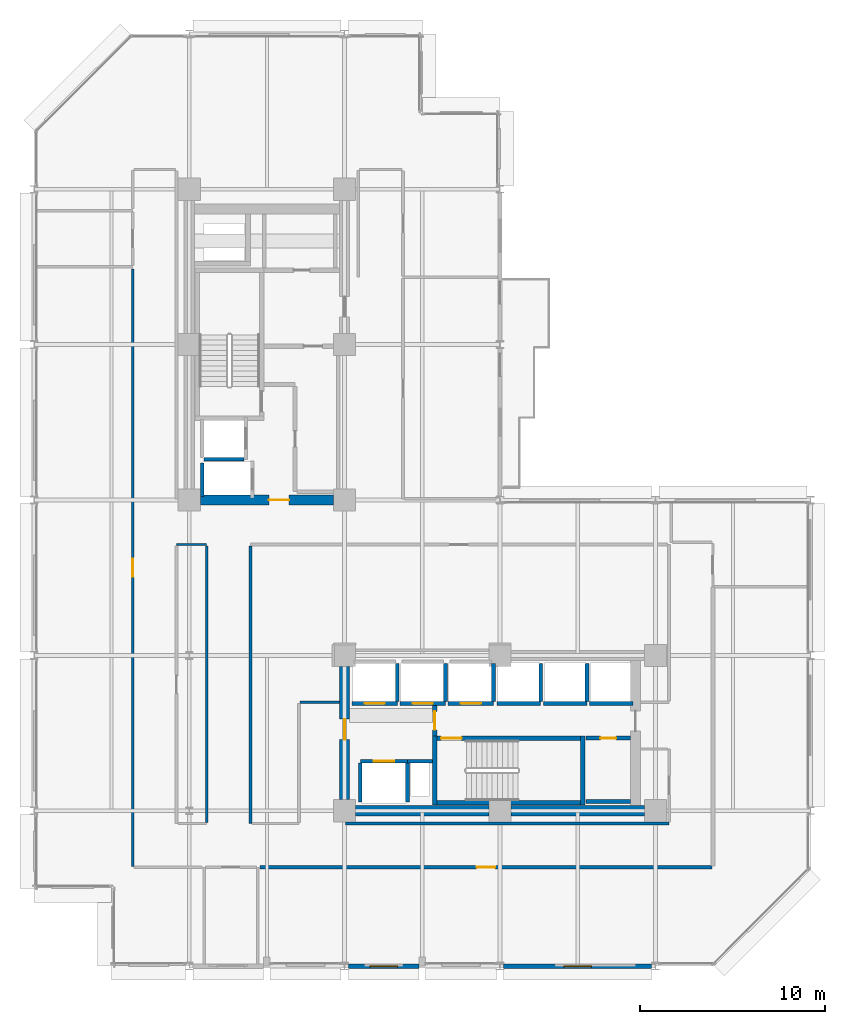
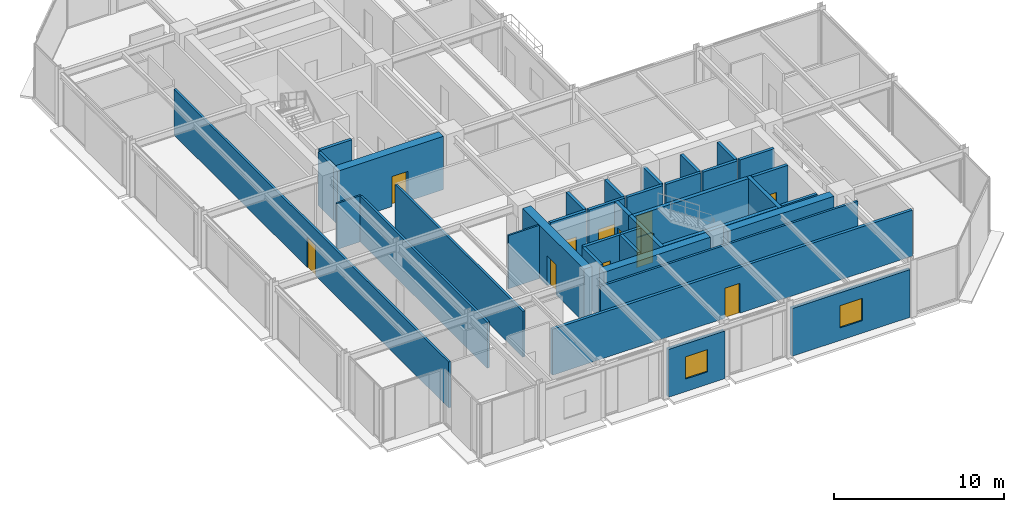
# One storey, part 24 of 30: 37 walls, 11 doors, 2 windows, 13 openings.
"""IFC4 building model written with IfcOpenShell, lengths in metres."""

from ifc_helpers import new_model, si_unit, direction, frame, frame_2d, origin, place, context, subcontext, project, spatial, rectangle, extrude, material, layer, layer_set, type_object, element, fill, save


model = new_model("IFC4")

# Units and contexts
model_context = context("Model", 3, precision=1e-05, world=origin(), true_north=direction((0.0, 1.0)))
body_context = subcontext(model_context, "Body", "Model", "MODEL_VIEW")
ifc_project = project(units=[si_unit("LENGTHUNIT", "METRE"), si_unit("AREAUNIT", "SQUARE_METRE"), si_unit("VOLUMEUNIT", "CUBIC_METRE"), si_unit("PLANEANGLEUNIT", "RADIAN"), si_unit("MASSUNIT", "GRAM", prefix="KILO")], contexts=[model_context])

# Site, building, storey
site_placement = place(None, origin())
site = spatial("IfcSite", under=ifc_project, at=site_placement, CompositionType="ELEMENT")
building_placement = place(site_placement, origin())
building = spatial("IfcBuilding", under=site, at=building_placement, Name="Nerrivon Quay Data Exchange", CompositionType="ELEMENT")
storey_placement = place(building_placement, frame((0.0, 0.0, 154.10009765625)))
storey = spatial("IfcBuildingStorey", under=building, at=storey_placement, Name="L36", CompositionType="ELEMENT", Elevation=154.10009765625)

# Wall, opening, window
ifc_material_1 = material(Name="Architectural terracotta precast concrete N50 (50 MPa)", Category="masonry")
ifc_layer_1 = layer(ifc_material_1, 0.239990234375)
ifc_layer_set_1 = layer_set([ifc_layer_1], Name="Architectural terracotta precast concrete N50 (50 MPa)")
wall_type_1 = type_object("IfcWallType", Name="EW-PREC-240", PredefinedType="STANDARD", material=ifc_layer_set_1)
wall_1_placement = place(storey_placement, frame((33.39990234375, 0.0, 0.0), z_axis=(0.0, 0.0, 1.0), x_axis=(-1.0, 0.0, 0.0)))
wall_1 = element("IfcWall", 1, at=wall_1_placement, inside=storey, type_object=wall_type_1, Name="L36 Podium Precast Spandrel Wall 3", PredefinedType="STANDARD", context=body_context, shape_type="SweptSolid", body=[
    extrude(rectangle(XDim=8.0, YDim=0.239990234375, at=frame_2d((4.0, 0.0))), origin(), (0.0, 0.0, 1.0), 3.421875),
])
opening_1_placement = place(wall_1_placement, frame((3.25, 0.0, 0.89990234375)))
opening_1 = element("IfcOpeningElement", 2, at=opening_1_placement, cuts=wall_1, Name="Opening WN4", PredefinedType="OPENING", context=body_context, shape_type="SweptSolid", body=[
    extrude(rectangle(XDim=1.5, YDim=1.60009765625, at=frame_2d((0.75, 0.800048828125))), frame((0.0, 0.1298828125, 0.0), z_axis=(0.0, -1.0, 0.0), x_axis=(1.0, 0.0, 0.0)), (0.0, 0.0, 1.0), 0.260009765625),
])
ifc_material_2 = material(Name="Double-glazed low-E solar control glass", Category="glass")
window_type = type_object("IfcWindowType", Name="WIN-W4-1500x1600", PartitioningType="SINGLE_PANEL", PredefinedType="WINDOW", material=ifc_material_2)
window_1_placement = place(opening_1_placement, origin())
window_1 = element("IfcWindow", 3, at=window_1_placement, inside=storey, type_object=window_type, Name="L36 Solar Facade Window 3", OverallHeight=1.60009765625, OverallWidth=1.5, PartitioningType="SINGLE_PANEL", PredefinedType="WINDOW", context=body_context, shape_type="SweptSolid", body=[
    extrude(rectangle(XDim=1.5, YDim=1.60009765625, at=frame_2d((0.75, 0.800048828125))), frame((0.0, 0.030029296875, 0.0), z_axis=(0.0, -1.0, 0.0), x_axis=(1.0, 0.0, 0.0)), (0.0, 0.0, 1.0), 0.06005859375),
])
fill(opening_1, window_1)

wall_2_placement = place(storey_placement, frame((20.824951171875, 0.0, 0.0), z_axis=(0.0, 0.0, 1.0), x_axis=(-1.0, 0.0, 0.0)))
wall_2 = element("IfcWall", 4, at=wall_2_placement, inside=storey, type_object=wall_type_1, Name="L36 Podium Precast Spandrel Wall 5", PredefinedType="STANDARD", context=body_context, shape_type="SweptSolid", body=[
    extrude(rectangle(XDim=3.824951171875, YDim=0.239990234375, at=frame_2d((1.91259765625, 0.0))), origin(), (0.0, 0.0, 1.0), 3.421875),
])
opening_2_placement = place(wall_2_placement, frame((1.16259765625, 0.0, 0.89990234375)))
opening_2 = element("IfcOpeningElement", 5, at=opening_2_placement, cuts=wall_2, Name="Opening WN4", PredefinedType="OPENING", context=body_context, shape_type="SweptSolid", body=[
    extrude(rectangle(XDim=1.5, YDim=1.60009765625, at=frame_2d((0.75, 0.800048828125))), frame((0.0, 0.1298828125, 0.0), z_axis=(0.0, -1.0, 0.0), x_axis=(1.0, 0.0, 0.0)), (0.0, 0.0, 1.0), 0.260009765625),
])
window_2_placement = place(opening_2_placement, origin())
window_2 = element("IfcWindow", 6, at=window_2_placement, inside=storey, type_object=window_type, Name="L36 Solar Facade Window 5", OverallHeight=1.60009765625, OverallWidth=1.5, PartitioningType="SINGLE_PANEL", PredefinedType="WINDOW", context=body_context, shape_type="SweptSolid", body=[
    extrude(rectangle(XDim=1.5, YDim=1.60009765625, at=frame_2d((0.75, 0.800048828125))), frame((0.0, 0.030029296875, 0.0), z_axis=(0.0, -1.0, 0.0), x_axis=(1.0, 0.0, 0.0)), (0.0, 0.0, 1.0), 0.06005859375),
])
fill(opening_2, window_2)

# Wall, opening, door
ifc_material_3 = material(Name="Concrete S65 (65 MPa)", Category="concrete")
ifc_layer_2 = layer(ifc_material_3, 0.550048828125)
ifc_layer_set_2 = layer_set([ifc_layer_2], Name="Concrete S65 (65 MPa)")
wall_type_2 = type_object("IfcWallType", Name="WALL-CW-700", PredefinedType="SHEAR", material=ifc_layer_set_2)
wall_3_placement = place(storey_placement, frame((9.0, 25.199951171875, 0.0), z_axis=(0.0, 0.0, 1.0), x_axis=(1.0, 0.0, 0.0)))
wall_3 = element("IfcWall", 7, at=wall_3_placement, inside=storey, type_object=wall_type_2, Name="L36 West Split-Core Shear Wall WCW-S1", PredefinedType="SHEAR", context=body_context, shape_type="SweptSolid", body=[
    extrude(rectangle(XDim=7.199951171875, YDim=0.550048828125, at=frame_2d((3.60009765625, 0.0))), origin(), (0.0, 0.0, 1.0), 3.824951171875),
])
opening_3_placement = place(wall_3_placement, frame((3.699951171875, 0.0, 0.0)))
opening_3 = element("IfcOpeningElement", 8, at=opening_3_placement, cuts=wall_3, Name="Opening FD-120", PredefinedType="OPENING", context=body_context, shape_type="SweptSolid", body=[
    extrude(rectangle(XDim=1.10009765625, YDim=2.14990234375, at=frame_2d((0.550048828125, 1.074951171875))), frame((0.0, 0.284912109375, 0.0), z_axis=(0.0, -1.0, 0.0), x_axis=(1.0, 0.0, 0.0)), (0.0, 0.0, 1.0), 0.570068359375),
])
ifc_material_4 = material(Name="Powder-coated galvanized steel sheet", Category="steel")
door_type_1 = type_object("IfcDoorType", Name="DR-FD120-1100", OperationType="NOTDEFINED", PredefinedType="DOOR", material=ifc_material_4)
door_1_placement = place(opening_3_placement, origin())
door_1 = element("IfcDoor", 9, at=door_1_placement, inside=storey, type_object=door_type_1, Name="L36 West Core Lobby Fire Door", OperationType="SINGLE_SWING_LEFT", OverallHeight=2.14990234375, OverallWidth=1.10009765625, PredefinedType="DOOR", context=body_context, shape_type="SweptSolid", body=[
    extrude(rectangle(XDim=1.10009765625, YDim=2.14990234375, at=frame_2d((0.550048828125, 1.074951171875))), frame((0.0, 0.02490234375, 0.0), z_axis=(0.0, -1.0, 0.0), x_axis=(1.0, 0.0, 0.0)), (0.0, 0.0, 1.0), 0.050048828125),
])
fill(opening_3, door_1)

# Walls
wall_4_placement = place(storey_placement, frame((17.39990234375, 8.39990234375, 0.0), z_axis=(0.0, 0.0, 1.0), x_axis=(1.0, 0.0, 0.0)))
element("IfcWall", 10, at=wall_4_placement, inside=storey, type_object=wall_type_2, Name="L36 East Split-Core Shear Wall ECW-S1", PredefinedType="SHEAR", context=body_context, shape_type="SweptSolid", body=[
    extrude(rectangle(XDim=7.2001953125, YDim=0.550048828125, at=frame_2d((3.60009765625, 0.0))), origin(), (0.0, 0.0, 1.0), 3.824951171875),
])
wall_5_placement = place(storey_placement, frame((25.800048828125, 8.39990234375, 0.0), z_axis=(0.0, 0.0, 1.0), x_axis=(1.0, 0.0, 0.0)))
element("IfcWall", 11, at=wall_5_placement, inside=storey, type_object=wall_type_2, Name="L36 East Split-Core Shear Wall ECW-S2", PredefinedType="SHEAR", context=body_context, shape_type="SweptSolid", body=[
    extrude(rectangle(XDim=7.199951171875, YDim=0.550048828125, at=frame_2d((3.60009765625, 0.0))), origin(), (0.0, 0.0, 1.0), 3.824951171875),
])

# Wall, opening, door
wall_6_placement = place(storey_placement, frame((16.800048828125, 9.0, 0.0), z_axis=(0.0, 0.0, 1.0), x_axis=(0.0, 1.0, 0.0)))
wall_6 = element("IfcWall", 12, at=wall_6_placement, inside=storey, type_object=wall_type_2, Name="L36 East Split-Core Shear Wall ECW-W1", PredefinedType="SHEAR", context=body_context, shape_type="SweptSolid", body=[
    extrude(rectangle(XDim=7.199951171875, YDim=0.550048828125, at=frame_2d((3.60009765625, 0.0))), origin(), (0.0, 0.0, 1.0), 3.824951171875),
])
opening_4_placement = place(wall_6_placement, frame((3.25, 0.0, 0.0)))
opening_4 = element("IfcOpeningElement", 13, at=opening_4_placement, cuts=wall_6, Name="Opening FD-120", PredefinedType="OPENING", context=body_context, shape_type="SweptSolid", body=[
    extrude(rectangle(XDim=1.10009765625, YDim=2.14990234375, at=frame_2d((0.550048828125, 1.074951171875))), frame((0.0, 0.284912109375, 0.0), z_axis=(0.0, -1.0, 0.0), x_axis=(1.0, 0.0, 0.0)), (0.0, 0.0, 1.0), 0.570068359375),
])
door_2_placement = place(opening_4_placement, origin())
door_2 = element("IfcDoor", 14, at=door_2_placement, inside=storey, type_object=door_type_1, Name="L36 East Core Lobby Fire Door", OperationType="SINGLE_SWING_LEFT", OverallHeight=2.14990234375, OverallWidth=1.10009765625, PredefinedType="DOOR", context=body_context, shape_type="SweptSolid", body=[
    extrude(rectangle(XDim=1.10009765625, YDim=2.14990234375, at=frame_2d((0.550048828125, 1.074951171875))), frame((0.0, 0.02490234375, 0.0), z_axis=(0.0, -1.0, 0.0), x_axis=(1.0, 0.0, 0.0)), (0.0, 0.0, 1.0), 0.050048828125),
])
fill(opening_4, door_2)

# Walls
ifc_material_5 = material(Name="Gypsum plasterboard on cold-formed framing", Category="gypsum")
ifc_layer_3 = layer(ifc_material_5, 0.199951171875)
ifc_layer_set_3 = layer_set([ifc_layer_3], Name="Gypsum plasterboard on cold-formed framing")
wall_type_3 = type_object("IfcWallType", Name="WALL-FW-200", PredefinedType="PARTITIONING", material=ifc_layer_set_3)
wall_7_placement = place(storey_placement, frame((20.199951171875, 11.080078125, 0.0), z_axis=(0.0, 0.0, 1.0), x_axis=(1.0, 0.0, 0.0)))
element("IfcWall", 15, at=wall_7_placement, inside=storey, type_object=wall_type_3, Name="L36 East Core MEP Riser Shaft Wall N", PredefinedType="PARTITIONING", context=body_context, shape_type="SweptSolid", body=[
    extrude(rectangle(XDim=1.35009765625, YDim=0.199951171875, at=frame_2d((0.675048828125, 0.0))), origin(), (0.0, 0.0, 1.0), 3.824951171875),
])
wall_8_placement = place(storey_placement, frame((9.199951171875, 27.39990234375, 0.0), z_axis=(0.0, 0.0, 1.0), x_axis=(1.0, 0.0, 0.0)))
element("IfcWall", 16, at=wall_8_placement, inside=storey, type_object=wall_type_3, Name="L36 Lift Shaft Wall FFL-1 SOUTH", PredefinedType="PARTITIONING", context=body_context, shape_type="SweptSolid", body=[
    extrude(rectangle(XDim=2.150146484375, YDim=0.199951171875, at=frame_2d((1.0751953125, 0.0))), origin(), (0.0, 0.0, 1.0), 3.824951171875),
])
wall_9_placement = place(storey_placement, frame((9.10009765625, 25.39990234375, 0.0), z_axis=(0.0, 0.0, 1.0), x_axis=(0.0, 1.0, 0.0)))
element("IfcWall", 17, at=wall_9_placement, inside=storey, type_object=wall_type_3, Name="L36 Lift Shaft Wall SVL-1 WEST", PredefinedType="PARTITIONING", context=body_context, shape_type="SweptSolid", body=[
    extrude(rectangle(XDim=1.800048828125, YDim=0.199951171875, at=frame_2d((0.89990234375, 0.0))), origin(), (0.0, 0.0, 1.0), 3.824951171875),
])

# Wall, opening, door
wall_10_placement = place(storey_placement, frame((17.64990234375, 11.080078125, 0.0), z_axis=(0.0, 0.0, 1.0), x_axis=(1.0, 0.0, 0.0)))
wall_10 = element("IfcWall", 18, at=wall_10_placement, inside=storey, type_object=wall_type_3, Name="L36 Lift Front Wall FFL-2", PredefinedType="PARTITIONING", context=body_context, shape_type="SweptSolid", body=[
    extrude(rectangle(XDim=2.550048828125, YDim=0.199951171875, at=frame_2d((1.27490234375, 0.0))), origin(), (0.0, 0.0, 1.0), 3.824951171875),
])
opening_5_placement = place(wall_10_placement, frame((0.72509765625, 0.0, 0.0)))
opening_5 = element("IfcOpeningElement", 19, at=opening_5_placement, cuts=wall_10, Name="Opening LD-120", PredefinedType="OPENING", context=body_context, shape_type="SweptSolid", body=[
    extrude(rectangle(XDim=1.10009765625, YDim=2.199951171875, at=frame_2d((0.550048828125, 1.10009765625))), frame((0.0, 0.10986328125, 0.0), z_axis=(0.0, -1.0, 0.0), x_axis=(1.0, 0.0, 0.0)), (0.0, 0.0, 1.0), 0.219970703125),
])
door_type_2 = type_object("IfcDoorType", Name="DR-LIFT-LD120", OperationType="DOUBLE_DOOR_SLIDING", PredefinedType="DOOR", material=ifc_material_4)
door_3_placement = place(opening_5_placement, origin())
door_3 = element("IfcDoor", 20, at=door_3_placement, inside=storey, type_object=door_type_2, Name="L36 Lift Landing Sliding Door FFL-2", OperationType="DOUBLE_DOOR_SLIDING", OverallHeight=2.199951171875, OverallWidth=1.10009765625, PredefinedType="DOOR", context=body_context, shape_type="SweptSolid", body=[
    extrude(rectangle(XDim=1.10009765625, YDim=2.199951171875, at=frame_2d((0.550048828125, 1.10009765625))), frame((0.0, 0.02490234375, 0.0), z_axis=(0.0, -1.0, 0.0), x_axis=(1.0, 0.0, 0.0)), (0.0, 0.0, 1.0), 0.050048828125),
])
fill(opening_5, door_3)

# Walls
for number, where, z_axis, x_axis, name in (
    (21, (20.199951171875, 8.8798828125, 0.0), (0.0, 0.0, 1.0), (0.0, 1.0, 0.0), "L36 Lift Shaft Wall FFL-2 EAST"),
    (22, (17.64990234375, 8.8798828125, 0.0), (0.0, 0.0, 1.0), (0.0, 1.0, 0.0), "L36 Lift Shaft Wall FFL-2 WEST"),
):
    element("IfcWall", number, at=place(storey_placement, frame(where, z_axis=z_axis, x_axis=x_axis)), inside=storey, type_object=wall_type_3, Name=name, PredefinedType="PARTITIONING", context=body_context, shape_type="SweptSolid", body=[
        extrude(rectangle(XDim=2.10009765625, YDim=0.199951171875, at=frame_2d((1.050048828125, 0.0))), origin(), (0.0, 0.0, 1.0), 3.824951171875),
    ])

# Wall, opening, door
wall_11_placement = place(storey_placement, frame((17.199951171875, 14.199951171875, 0.0), z_axis=(0.0, 0.0, 1.0), x_axis=(1.0, 0.0, 0.0)))
wall_11 = element("IfcWall", 23, at=wall_11_placement, inside=storey, type_object=wall_type_3, Name="L36 Lift Front Wall PL4", PredefinedType="PARTITIONING", context=body_context, shape_type="SweptSolid", body=[
    extrude(rectangle(XDim=2.449951171875, YDim=0.199951171875, at=frame_2d((1.22509765625, 0.0))), origin(), (0.0, 0.0, 1.0), 3.824951171875),
])
opening_6_placement = place(wall_11_placement, frame((0.675048828125, 0.0, 0.0)))
opening_6 = element("IfcOpeningElement", 24, at=opening_6_placement, cuts=wall_11, Name="Opening LD-120", PredefinedType="OPENING", context=body_context, shape_type="SweptSolid", body=[
    extrude(rectangle(XDim=1.10009765625, YDim=2.199951171875, at=frame_2d((0.550048828125, 1.10009765625))), frame((0.0, 0.10986328125, 0.0), z_axis=(0.0, -1.0, 0.0), x_axis=(1.0, 0.0, 0.0)), (0.0, 0.0, 1.0), 0.219970703125),
])
door_4_placement = place(opening_6_placement, origin())
door_4 = element("IfcDoor", 25, at=door_4_placement, inside=storey, type_object=door_type_2, Name="L36 Lift Landing Sliding Door PL4", OperationType="DOUBLE_DOOR_SLIDING", OverallHeight=2.199951171875, OverallWidth=1.10009765625, PredefinedType="DOOR", context=body_context, shape_type="SweptSolid", body=[
    extrude(rectangle(XDim=1.10009765625, YDim=2.199951171875, at=frame_2d((0.550048828125, 1.10009765625))), frame((0.0, 0.02490234375, 0.0), z_axis=(0.0, -1.0, 0.0), x_axis=(1.0, 0.0, 0.0)), (0.0, 0.0, 1.0), 0.050048828125),
])
fill(opening_6, door_4)

# Wall
wall_12_placement = place(storey_placement, frame((19.64990234375, 14.300048828125, 0.0), z_axis=(0.0, 0.0, 1.0), x_axis=(0.0, 1.0, 0.0)))
element("IfcWall", 26, at=wall_12_placement, inside=storey, type_object=wall_type_3, Name="L36 Lift Shaft Wall PL4 EAST", PredefinedType="PARTITIONING", context=body_context, shape_type="SweptSolid", body=[
    extrude(rectangle(XDim=2.050048828125, YDim=0.199951171875, at=frame_2d((1.02490234375, 0.0))), origin(), (0.0, 0.0, 1.0), 3.824951171875),
])

# Wall, opening, door
wall_13_placement = place(storey_placement, frame((19.800048828125, 14.199951171875, 0.0), z_axis=(0.0, 0.0, 1.0), x_axis=(1.0, 0.0, 0.0)))
wall_13 = element("IfcWall", 27, at=wall_13_placement, inside=storey, type_object=wall_type_3, Name="L36 Lift Front Wall PL5", PredefinedType="PARTITIONING", context=body_context, shape_type="SweptSolid", body=[
    extrude(rectangle(XDim=2.449951171875, YDim=0.199951171875, at=frame_2d((1.22509765625, 0.0))), origin(), (0.0, 0.0, 1.0), 3.824951171875),
])
opening_7_placement = place(wall_13_placement, frame((0.675048828125, 0.0, 0.0)))
opening_7 = element("IfcOpeningElement", 28, at=opening_7_placement, cuts=wall_13, Name="Opening LD-120", PredefinedType="OPENING", context=body_context, shape_type="SweptSolid", body=[
    extrude(rectangle(XDim=1.10009765625, YDim=2.199951171875, at=frame_2d((0.550048828125, 1.10009765625))), frame((0.0, 0.10986328125, 0.0), z_axis=(0.0, -1.0, 0.0), x_axis=(1.0, 0.0, 0.0)), (0.0, 0.0, 1.0), 0.219970703125),
])
door_5_placement = place(opening_7_placement, origin())
door_5 = element("IfcDoor", 29, at=door_5_placement, inside=storey, type_object=door_type_2, Name="L36 Lift Landing Sliding Door PL5", OperationType="DOUBLE_DOOR_SLIDING", OverallHeight=2.199951171875, OverallWidth=1.10009765625, PredefinedType="DOOR", context=body_context, shape_type="SweptSolid", body=[
    extrude(rectangle(XDim=1.10009765625, YDim=2.199951171875, at=frame_2d((0.550048828125, 1.10009765625))), frame((0.0, 0.02490234375, 0.0), z_axis=(0.0, -1.0, 0.0), x_axis=(1.0, 0.0, 0.0)), (0.0, 0.0, 1.0), 0.050048828125),
])
fill(opening_7, door_5)

# Wall
wall_14_placement = place(storey_placement, frame((22.25, 14.300048828125, 0.0), z_axis=(0.0, 0.0, 1.0), x_axis=(0.0, 1.0, 0.0)))
element("IfcWall", 30, at=wall_14_placement, inside=storey, type_object=wall_type_3, Name="L36 Lift Shaft Wall PL5 EAST", PredefinedType="PARTITIONING", context=body_context, shape_type="SweptSolid", body=[
    extrude(rectangle(XDim=2.050048828125, YDim=0.199951171875, at=frame_2d((1.02490234375, 0.0))), origin(), (0.0, 0.0, 1.0), 3.824951171875),
])

# Wall, opening, door
wall_15_placement = place(storey_placement, frame((22.39990234375, 14.199951171875, 0.0), z_axis=(0.0, 0.0, 1.0), x_axis=(1.0, 0.0, 0.0)))
wall_15 = element("IfcWall", 31, at=wall_15_placement, inside=storey, type_object=wall_type_3, Name="L36 Lift Front Wall PL6", PredefinedType="PARTITIONING", context=body_context, shape_type="SweptSolid", body=[
    extrude(rectangle(XDim=2.4501953125, YDim=0.199951171875, at=frame_2d((1.22509765625, 0.0))), origin(), (0.0, 0.0, 1.0), 3.824951171875),
])
opening_8_placement = place(wall_15_placement, frame((0.675048828125, 0.0, 0.0)))
opening_8 = element("IfcOpeningElement", 32, at=opening_8_placement, cuts=wall_15, Name="Opening LD-120", PredefinedType="OPENING", context=body_context, shape_type="SweptSolid", body=[
    extrude(rectangle(XDim=1.10009765625, YDim=2.199951171875, at=frame_2d((0.550048828125, 1.10009765625))), frame((0.0, 0.10986328125, 0.0), z_axis=(0.0, -1.0, 0.0), x_axis=(1.0, 0.0, 0.0)), (0.0, 0.0, 1.0), 0.219970703125),
])
door_6_placement = place(opening_8_placement, origin())
door_6 = element("IfcDoor", 33, at=door_6_placement, inside=storey, type_object=door_type_2, Name="L36 Lift Landing Sliding Door PL6", OperationType="DOUBLE_DOOR_SLIDING", OverallHeight=2.199951171875, OverallWidth=1.10009765625, PredefinedType="DOOR", context=body_context, shape_type="SweptSolid", body=[
    extrude(rectangle(XDim=1.10009765625, YDim=2.199951171875, at=frame_2d((0.550048828125, 1.10009765625))), frame((0.0, 0.02490234375, 0.0), z_axis=(0.0, -1.0, 0.0), x_axis=(1.0, 0.0, 0.0)), (0.0, 0.0, 1.0), 0.050048828125),
])
fill(opening_8, door_6)

# Walls
wall_16_placement = place(storey_placement, frame((24.85009765625, 14.300048828125, 0.0), z_axis=(0.0, 0.0, 1.0), x_axis=(0.0, 1.0, 0.0)))
element("IfcWall", 34, at=wall_16_placement, inside=storey, type_object=wall_type_3, Name="L36 Lift Shaft Wall PL6 EAST", PredefinedType="PARTITIONING", context=body_context, shape_type="SweptSolid", body=[
    extrude(rectangle(XDim=2.050048828125, YDim=0.199951171875, at=frame_2d((1.02490234375, 0.0))), origin(), (0.0, 0.0, 1.0), 3.824951171875),
])
wall_17_placement = place(storey_placement, frame((25.050048828125, 14.199951171875, 0.0), z_axis=(0.0, 0.0, 1.0), x_axis=(1.0, 0.0, 0.0)))
element("IfcWall", 35, at=wall_17_placement, inside=storey, type_object=wall_type_3, Name="L36 Lift Front Wall PL7", PredefinedType="PARTITIONING", context=body_context, shape_type="SweptSolid", body=[
    extrude(rectangle(XDim=2.349853515625, YDim=0.199951171875, at=frame_2d((1.1748046875, 0.0))), origin(), (0.0, 0.0, 1.0), 3.824951171875),
])
wall_18_placement = place(storey_placement, frame((27.39990234375, 14.300048828125, 0.0), z_axis=(0.0, 0.0, 1.0), x_axis=(0.0, 1.0, 0.0)))
element("IfcWall", 36, at=wall_18_placement, inside=storey, type_object=wall_type_3, Name="L36 Lift Shaft Wall PL7 EAST", PredefinedType="PARTITIONING", context=body_context, shape_type="SweptSolid", body=[
    extrude(rectangle(XDim=2.050048828125, YDim=0.199951171875, at=frame_2d((1.02490234375, 0.0))), origin(), (0.0, 0.0, 1.0), 3.824951171875),
])
wall_19_placement = place(storey_placement, frame((27.550048828125, 14.199951171875, 0.0), z_axis=(0.0, 0.0, 1.0), x_axis=(1.0, 0.0, 0.0)))
element("IfcWall", 37, at=wall_19_placement, inside=storey, type_object=wall_type_3, Name="L36 Lift Front Wall PL8", PredefinedType="PARTITIONING", context=body_context, shape_type="SweptSolid", body=[
    extrude(rectangle(XDim=2.349853515625, YDim=0.199951171875, at=frame_2d((1.1748046875, 0.0))), origin(), (0.0, 0.0, 1.0), 3.824951171875),
])
wall_20_placement = place(storey_placement, frame((29.89990234375, 14.300048828125, 0.0), z_axis=(0.0, 0.0, 1.0), x_axis=(0.0, 1.0, 0.0)))
element("IfcWall", 38, at=wall_20_placement, inside=storey, type_object=wall_type_3, Name="L36 Lift Shaft Wall PL8 EAST", PredefinedType="PARTITIONING", context=body_context, shape_type="SweptSolid", body=[
    extrude(rectangle(XDim=2.050048828125, YDim=0.199951171875, at=frame_2d((1.02490234375, 0.0))), origin(), (0.0, 0.0, 1.0), 3.824951171875),
])
wall_21_placement = place(storey_placement, frame((30.050048828125, 14.199951171875, 0.0), z_axis=(0.0, 0.0, 1.0), x_axis=(1.0, 0.0, 0.0)))
element("IfcWall", 39, at=wall_21_placement, inside=storey, type_object=wall_type_3, Name="L36 Lift Front Wall PL9", PredefinedType="PARTITIONING", context=body_context, shape_type="SweptSolid", body=[
    extrude(rectangle(XDim=2.349853515625, YDim=0.199951171875, at=frame_2d((1.1748046875, 0.0))), origin(), (0.0, 0.0, 1.0), 3.824951171875),
])

# Wall, opening, door
wall_22_placement = place(storey_placement, frame((32.24609375, 12.330078125, 0.0), z_axis=(0.0, 0.0, 1.0), x_axis=(-1.0, 0.0, 0.0)))
wall_22 = element("IfcWall", 40, at=wall_22_placement, inside=storey, type_object=wall_type_3, Name="L36 Partition East Telecom Closet", PredefinedType="PARTITIONING", context=body_context, shape_type="SweptSolid", body=[
    extrude(rectangle(XDim=2.39599609375, YDim=0.199951171875, at=frame_2d((1.197998046875, 0.0))), origin(), (0.0, 0.0, 1.0), 3.824951171875),
])
opening_9_placement = place(wall_22_placement, frame((0.77294921875, 0.0, 0.0)))
opening_9 = element("IfcOpeningElement", 41, at=opening_9_placement, cuts=wall_22, Name="Opening FD-60S", PredefinedType="OPENING", context=body_context, shape_type="SweptSolid", body=[
    extrude(rectangle(XDim=0.85009765625, YDim=2.14990234375, at=frame_2d((0.425048828125, 1.074951171875))), frame((0.0, 0.10986328125, 0.0), z_axis=(0.0, -1.0, 0.0), x_axis=(1.0, 0.0, 0.0)), (0.0, 0.0, 1.0), 0.219970703125),
])
ifc_material_6 = material(Name="Engineered hardwood timber", Category="wood")
door_type_3 = type_object("IfcDoorType", Name="DR-FD60-850", OperationType="NOTDEFINED", PredefinedType="DOOR", material=ifc_material_6)
door_7_placement = place(opening_9_placement, origin())
door_7 = element("IfcDoor", 42, at=door_7_placement, inside=storey, type_object=door_type_3, Name="L36 Door East Telecom Closet", OperationType="SINGLE_SWING_RIGHT", OverallHeight=2.14990234375, OverallWidth=0.85009765625, PredefinedType="DOOR", context=body_context, shape_type="SweptSolid", body=[
    extrude(rectangle(XDim=0.85009765625, YDim=2.14990234375, at=frame_2d((0.425048828125, 1.074951171875))), frame((0.0, 0.02490234375, 0.0), z_axis=(0.0, -1.0, 0.0), x_axis=(1.0, 0.0, 0.0)), (0.0, 0.0, 1.0), 0.050048828125),
])
fill(opening_9, door_7)

# Wall
wall_23_placement = place(storey_placement, frame((29.85009765625, 8.89990234375, 0.0), z_axis=(0.0, 0.0, 1.0), x_axis=(1.0, 0.0, 0.0)))
element("IfcWall", 43, at=wall_23_placement, inside=storey, type_object=wall_type_3, Name="L36 Partition East Telecom Closet", PredefinedType="PARTITIONING", context=body_context, shape_type="SweptSolid", body=[
    extrude(rectangle(XDim=2.39599609375, YDim=0.199951171875, at=frame_2d((1.197998046875, 0.0))), origin(), (0.0, 0.0, 1.0), 3.824951171875),
])

# Wall, opening, door
wall_24_placement = place(storey_placement, frame((36.64990234375, 5.340087890625, 0.0), z_axis=(0.0, 0.0, 1.0), x_axis=(-1.0, 0.0, 0.0)))
wall_24 = element("IfcWall", 44, at=wall_24_placement, inside=storey, type_object=wall_type_3, Name="L36 Partition Colocation Data Workspace 1", PredefinedType="PARTITIONING", context=body_context, shape_type="SweptSolid", body=[
    extrude(rectangle(XDim=24.429931640625, YDim=0.199951171875, at=frame_2d((12.21484375, 0.0))), origin(), (0.0, 0.0, 1.0), 3.296875),
])
opening_10_placement = place(wall_24_placement, frame((11.715087890625, 0.0, 0.0)))
opening_10 = element("IfcOpeningElement", 45, at=opening_10_placement, cuts=wall_24, Name="Opening FD-60", PredefinedType="OPENING", context=body_context, shape_type="SweptSolid", body=[
    extrude(rectangle(XDim=1.0, YDim=2.14990234375, at=frame_2d((0.5, 1.074951171875))), frame((0.0, 0.10986328125, 0.0), z_axis=(0.0, -1.0, 0.0), x_axis=(1.0, 0.0, 0.0)), (0.0, 0.0, 1.0), 0.219970703125),
])
door_type_4 = type_object("IfcDoorType", Name="DR-FD60-1000", OperationType="NOTDEFINED", PredefinedType="DOOR", material=ifc_material_6)
door_8_placement = place(opening_10_placement, origin())
door_8 = element("IfcDoor", 46, at=door_8_placement, inside=storey, type_object=door_type_4, Name="L36 Door Colocation Data Workspace 1", OperationType="SINGLE_SWING_RIGHT", OverallHeight=2.14990234375, OverallWidth=1.0, PredefinedType="DOOR", context=body_context, shape_type="SweptSolid", body=[
    extrude(rectangle(XDim=1.0, YDim=2.14990234375, at=frame_2d((0.5, 1.074951171875))), frame((0.0, 0.02490234375, 0.0), z_axis=(0.0, -1.0, 0.0), x_axis=(1.0, 0.0, 0.0)), (0.0, 0.0, 1.0), 0.050048828125),
])
fill(opening_10, door_8)

# Walls
ifc_layer_4 = layer(ifc_material_5, 0.1201171875)
ifc_layer_set_4 = layer_set([ifc_layer_4], Name="Gypsum plasterboard on cold-formed framing")
wall_type_4 = type_object("IfcWallType", Name="WALL-PT-120", PredefinedType="PARTITIONING", material=ifc_layer_set_4)
wall_25_placement = place(storey_placement, frame((9.340087890625, 22.7900390625, 0.0), z_axis=(0.0, 0.0, 1.0), x_axis=(-1.0, 0.0, 0.0)))
element("IfcWall", 47, at=wall_25_placement, inside=storey, type_object=wall_type_4, Name="L36 Partition Client Conference Room 1", PredefinedType="PARTITIONING", context=body_context, shape_type="SweptSolid", body=[
    extrude(rectangle(XDim=1.630126953125, YDim=0.1201171875, at=frame_2d((0.81494140625, 0.0))), origin(), (0.0, 0.0, 1.0), 3.296875),
])
wall_26_placement = place(storey_placement, frame((14.39990234375, 14.260009765625, 0.0), z_axis=(0.0, 0.0, 1.0), x_axis=(1.0, 0.0, 0.0)))
element("IfcWall", 48, at=wall_26_placement, inside=storey, type_object=wall_type_4, Name="L36 Partition Peering Huddle Meeting Room", PredefinedType="PARTITIONING", context=body_context, shape_type="SweptSolid", body=[
    extrude(rectangle(XDim=2.12109375, YDim=0.1201171875, at=frame_2d((1.060546875, 0.0))), origin(), (0.0, 0.0, 1.0), 3.824951171875),
])
ifc_layer_5 = layer(ifc_material_5, 0.14990234375)
ifc_layer_set_5 = layer_set([ifc_layer_5], Name="Gypsum plasterboard on cold-formed framing")
wall_type_5 = type_object("IfcWallType", Name="WALL-PT-150", PredefinedType="PARTITIONING", material=ifc_layer_set_5)
wall_27_placement = place(storey_placement, frame((16.860107421875, 7.7099609375, 0.0), z_axis=(0.0, 0.0, 1.0), x_axis=(1.0, 0.0, 0.0)))
element("IfcWall", 49, at=wall_27_placement, inside=storey, type_object=wall_type_5, Name="L36 Partition Staff Pantry", PredefinedType="PARTITIONING", context=body_context, shape_type="SweptSolid", body=[
    extrude(rectangle(XDim=17.47998046875, YDim=0.14990234375, at=frame_2d((8.739990234375, 0.0))), origin(), (0.0, 0.0, 1.0), 3.296875),
])
wall_28_placement = place(storey_placement, frame((9.340087890625, 7.77392578125, 0.0), z_axis=(0.0, 0.0, 1.0), x_axis=(0.0, 1.0, 0.0)))
element("IfcWall", 50, at=wall_28_placement, inside=storey, type_object=wall_type_5, Name="L36 Partition Client Conference Room 1", PredefinedType="PARTITIONING", context=body_context, shape_type="SweptSolid", body=[
    extrude(rectangle(XDim=14.9521484375, YDim=0.14990234375, at=frame_2d((7.47607421875, 0.0))), origin(), (0.0, 0.0, 1.0), 3.2919921875),
])
wall_29_placement = place(storey_placement, frame((11.7099609375, 22.7109375, 0.0), z_axis=(0.0, 0.0, 1.0), x_axis=(0.0, -1.0, 0.0)))
element("IfcWall", 51, at=wall_29_placement, inside=storey, type_object=wall_type_5, Name="L36 Partition Peering Huddle Meeting Room", PredefinedType="PARTITIONING", context=body_context, shape_type="SweptSolid", body=[
    extrude(rectangle(XDim=15.0009765625, YDim=0.14990234375, at=frame_2d((7.50048828125, 0.0))), origin(), (0.0, 0.0, 1.0), 3.2919921875),
])

# Wall, opening, door
wall_30_placement = place(storey_placement, frame((5.34033203125, 5.39404296875, 0.0), z_axis=(0.0, 0.0, 1.0), x_axis=(-7.561837e-06, 0.999999999971, 0.0)))
wall_30 = element("IfcWall", 52, at=wall_30_placement, inside=storey, type_object=wall_type_5, Name="L36 Partition Technical Library", PredefinedType="PARTITIONING", context=body_context, shape_type="SweptSolid", body=[
    extrude(rectangle(XDim=32.285888671875, YDim=0.14990234375, at=frame_2d((16.14306640625, 0.0))), origin(), (0.0, 0.0, 1.0), 3.2919921875),
])
opening_11_placement = place(wall_30_placement, frame((15.66796875, 0.0, 0.0)))
opening_11 = element("IfcOpeningElement", 53, at=opening_11_placement, cuts=wall_30, Name="Opening D-01", PredefinedType="OPENING", context=body_context, shape_type="SweptSolid", body=[
    extrude(rectangle(XDim=0.949951171875, YDim=2.14990234375, at=frame_2d((0.47509765625, 1.074951171875))), frame((0.0, 0.0849609375, 0.0), z_axis=(0.0, -1.0, 0.0), x_axis=(1.0, 0.0, 0.0)), (0.0, 0.0, 1.0), 0.169921875),
])
door_type_5 = type_object("IfcDoorType", Name="DR-INT-950", OperationType="NOTDEFINED", PredefinedType="DOOR", material=ifc_material_6)
door_9_placement = place(opening_11_placement, origin())
door_9 = element("IfcDoor", 54, at=door_9_placement, inside=storey, type_object=door_type_5, Name="L36 Door Technical Library", OperationType="SINGLE_SWING_RIGHT", OverallHeight=2.14990234375, OverallWidth=0.949951171875, PredefinedType="DOOR", context=body_context, shape_type="SweptSolid", body=[
    extrude(rectangle(XDim=0.949951171875, YDim=2.14990234375, at=frame_2d((0.47509765625, 1.074951171875))), frame((0.0, 0.02490234375, 0.0), z_axis=(0.0, -1.0, 0.0), x_axis=(1.0, 0.0, 0.0)), (0.0, 0.0, 1.0), 0.050048828125),
])
fill(opening_11, door_9)

# Walls
ifc_material_7 = material(Name="Concrete N50 (50 MPa)", Category="concrete")
ifc_layer_6 = layer(ifc_material_7, 0.25)
ifc_layer_set_6 = layer_set([ifc_layer_6], Name="Concrete N50 (50 MPa)")
wall_type_6 = type_object("IfcWallType", Name="WALL-SW-250", PredefinedType="SHEAR", material=ifc_layer_set_6)
for number, where, z_axis, x_axis, name in (
    (55, (21.675048828125, 8.699951171875, 0.0), (0.0, 0.0, 1.0), (0.0, 1.0, 0.0), "L36 ST02 Structural Stair Core Wall NEAR"),
    (56, (29.675048828125, 8.699951171875, 0.0), (0.0, 0.0, 1.0), (0.0, 1.0, 0.0), "L36 ST02 Structural Stair Core Wall FAR"),
):
    element("IfcWall", number, at=place(storey_placement, frame(where, z_axis=z_axis, x_axis=x_axis)), inside=storey, type_object=wall_type_6, Name=name, PredefinedType="SHEAR", context=body_context, shape_type="SweptSolid", body=[
        extrude(rectangle(XDim=3.75, YDim=0.25, at=frame_2d((1.875, 0.0))), origin(), (0.0, 0.0, 1.0), 3.824951171875),
    ])
wall_31_placement = place(storey_placement, frame((21.800048828125, 8.824951171875, 0.0), z_axis=(0.0, 0.0, 1.0), x_axis=(1.0, 0.0, 0.0)))
element("IfcWall", 57, at=wall_31_placement, inside=storey, type_object=wall_type_6, Name="L36 ST02 Structural Stair Core Wall LEFT", PredefinedType="SHEAR", context=body_context, shape_type="SweptSolid", body=[
    extrude(rectangle(XDim=7.75, YDim=0.25, at=frame_2d((3.875, 0.0))), origin(), (0.0, 0.0, 1.0), 3.824951171875),
])

# Wall, opening, door
wall_32_placement = place(storey_placement, frame((21.800048828125, 12.324951171875, 0.0), z_axis=(0.0, 0.0, 1.0), x_axis=(1.0, 0.0, 0.0)))
wall_32 = element("IfcWall", 58, at=wall_32_placement, inside=storey, type_object=wall_type_6, Name="L36 ST02 Structural Stair Core Wall RIGHT", PredefinedType="SHEAR", context=body_context, shape_type="SweptSolid", body=[
    extrude(rectangle(XDim=7.75, YDim=0.25, at=frame_2d((3.875, 0.0))), origin(), (0.0, 0.0, 1.0), 3.824951171875),
])
opening_12_placement = place(wall_32_placement, frame((0.219970703125, 0.0, 0.0)))
opening_12 = element("IfcOpeningElement", 59, at=opening_12_placement, cuts=wall_32, Name="Opening FD-120", PredefinedType="OPENING", context=body_context, shape_type="SweptSolid", body=[
    extrude(rectangle(XDim=1.10009765625, YDim=2.14990234375, at=frame_2d((0.550048828125, 1.074951171875))), frame((0.0, 0.135009765625, 0.0), z_axis=(0.0, -1.0, 0.0), x_axis=(1.0, 0.0, 0.0)), (0.0, 0.0, 1.0), 0.27001953125),
])
door_10_placement = place(opening_12_placement, origin())
door_10 = element("IfcDoor", 60, at=door_10_placement, inside=storey, type_object=door_type_1, Name="L36 Protected Stair Door ST02", OperationType="SINGLE_SWING_LEFT", OverallHeight=2.14990234375, OverallWidth=1.10009765625, PredefinedType="DOOR", context=body_context, shape_type="SweptSolid", body=[
    extrude(rectangle(XDim=1.10009765625, YDim=2.14990234375, at=frame_2d((0.550048828125, 1.074951171875))), frame((0.0, 0.02490234375, 0.0), z_axis=(0.0, -1.0, 0.0), x_axis=(1.0, 0.0, 0.0)), (0.0, 0.0, 1.0), 0.050048828125),
])
fill(opening_12, door_10)

wall_33_placement = place(storey_placement, frame((21.679931640625, 12.449951171875, 0.0), z_axis=(0.0, 0.0, 1.0), x_axis=(0.0, 1.0, 0.0)))
wall_33 = element("IfcWall", 61, at=wall_33_placement, inside=storey, type_object=wall_type_6, Name="L36 East Firefighting Lobby Wall", PredefinedType="SHEAR", context=body_context, shape_type="SweptSolid", body=[
    extrude(rectangle(XDim=1.650146484375, YDim=0.25, at=frame_2d((0.8251953125, 0.0))), origin(), (0.0, 0.0, 1.0), 3.824951171875),
])
opening_13_placement = place(wall_33_placement, frame((0.324951171875, 0.0, 0.0)))
opening_13 = element("IfcOpeningElement", 62, at=opening_13_placement, cuts=wall_33, Name="Opening FD-60", PredefinedType="OPENING", context=body_context, shape_type="SweptSolid", body=[
    extrude(rectangle(XDim=1.0, YDim=2.14990234375, at=frame_2d((0.5, 1.074951171875))), frame((0.0, 0.135009765625, 0.0), z_axis=(0.0, -1.0, 0.0), x_axis=(1.0, 0.0, 0.0)), (0.0, 0.0, 1.0), 0.27001953125),
])
door_11_placement = place(opening_13_placement, origin())
door_11 = element("IfcDoor", 63, at=door_11_placement, inside=storey, type_object=door_type_4, Name="L36 East Firefighting Lobby Fire Door", OperationType="SINGLE_SWING_LEFT", OverallHeight=2.14990234375, OverallWidth=1.0, PredefinedType="DOOR", context=body_context, shape_type="SweptSolid", body=[
    extrude(rectangle(XDim=1.0, YDim=2.14990234375, at=frame_2d((0.5, 1.074951171875))), frame((0.0, 0.02490234375, 0.0), z_axis=(0.0, -1.0, 0.0), x_axis=(1.0, 0.0, 0.0)), (0.0, 0.0, 1.0), 0.050048828125),
])
fill(opening_13, door_11)

save(model, "model.ifc")
